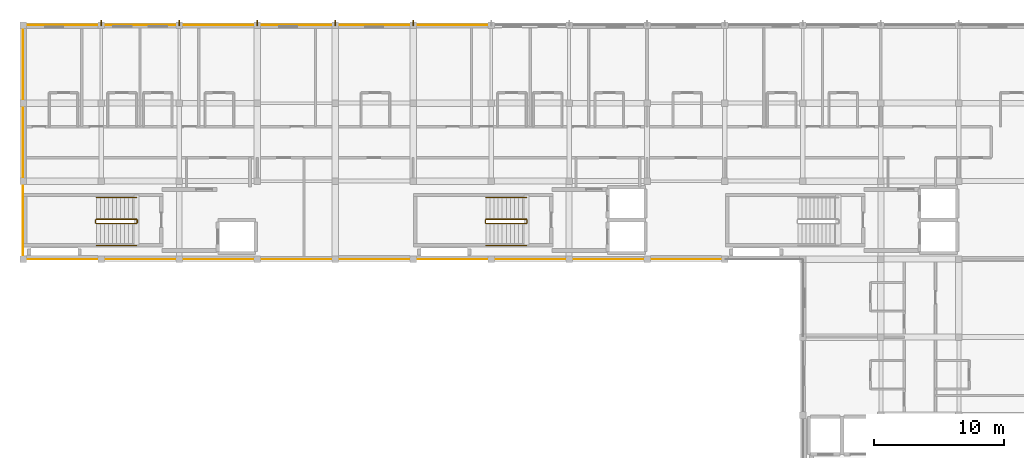
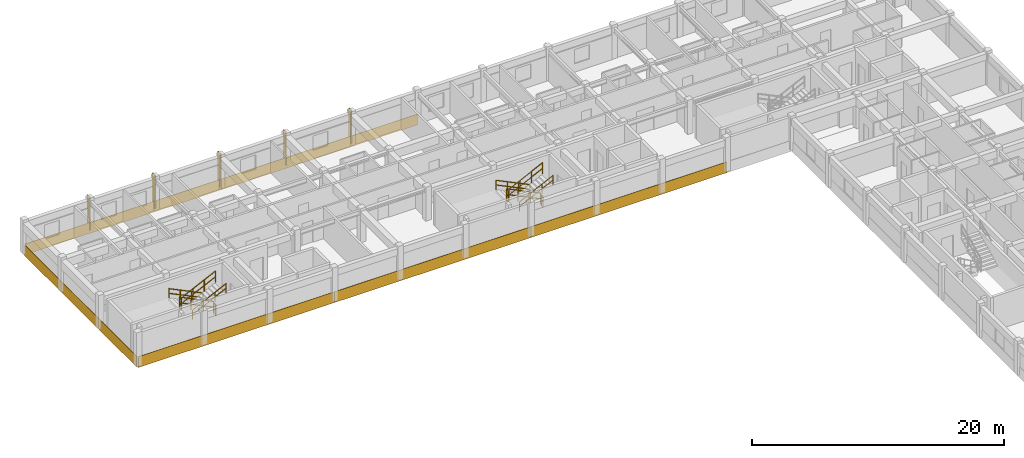
# One storey, part 12 of 14: 12 railings, 6 coverings, 5 shading devices.
"""IFC4 building model written with IfcOpenShell, lengths in metres."""

from ifc_helpers import new_model, si_unit, direction, frame, origin, origin_2d, place, context, subcontext, project, spatial, polyline, rectangle, circle, outline, extrude, material, layer, layer_set, type_object, element, save


model = new_model("IFC4")

# Units and contexts
model_context = context("Model", 3, precision=1e-05, world=origin(), true_north=direction((0.0, 1.0)))
body_context = subcontext(model_context, "Body", "Model", "MODEL_VIEW")
ifc_project = project(units=[si_unit("LENGTHUNIT", "METRE"), si_unit("AREAUNIT", "SQUARE_METRE"), si_unit("VOLUMEUNIT", "CUBIC_METRE"), si_unit("PLANEANGLEUNIT", "RADIAN"), si_unit("MASSUNIT", "GRAM", prefix="KILO"), si_unit("THERMODYNAMICTEMPERATUREUNIT", "KELVIN"), si_unit("POWERUNIT", "WATT")], contexts=[model_context])

# Site, building, storey
site_placement = place(None, origin())
site = spatial("IfcSite", under=ifc_project, at=site_placement, CompositionType="ELEMENT")
building_placement = place(site_placement, origin())
building = spatial("IfcBuilding", under=site, at=building_placement, Name="Phaisarnlok Congress Hotel", CompositionType="ELEMENT")
storey_placement = place(building_placement, frame((0.0, 0.0, 48.0)))
storey = spatial("IfcBuildingStorey", under=building, at=storey_placement, Name="L12", CompositionType="ELEMENT", Elevation=48.0)

# Coverings
ifc_material_1 = material(Name="Anodised Silver Aluminium Alloy 6063-T6", Category="aluminium")
ifc_layer_1 = layer(ifc_material_1, 0.031982421875, Name="Anodised Silver Aluminium Alloy 6063-T6")
ifc_layer_set_1 = layer_set([ifc_layer_1], Name="Anodised Silver Aluminium Alloy 6063-T6")
covering_type = type_object("IfcCoveringType", Name="COV-SPAND-ALU", PredefinedType="CLADDING", material=ifc_layer_set_1)
for number, where, z_axis, x_axis, name in (
    (1, (120.06005859375, 125.9951171875, -0.280029296875), (0.0, 1.0, 0.0), (-1.0, 0.0, 0.0), "Swiss minimalist anodised silver rainscreen band CL-02 (L12 N)"),
    (2, (138.06005859375, 125.9951171875, -0.280029296875), (0.0, 1.0, 0.0), (-1.0, 0.0, 0.0), "Swiss minimalist anodised silver rainscreen band CL-02 (L12 N)"),
    (3, (102.06005859375, 108.0048828125, -0.280029296875), (0.0, -1.0, 0.0), (1.0, 0.0, 0.0), "Swiss minimalist anodised silver rainscreen band CL-02 (L12 S)"),
    (4, (120.06005859375, 108.0048828125, -0.280029296875), (0.0, -1.0, 0.0), (1.0, 0.0, 0.0), "Swiss minimalist anodised silver rainscreen band CL-02 (L12 S)"),
    (5, (138.06005859375, 108.0048828125, -0.280029296875), (0.0, -1.0, 0.0), (1.0, 0.0, 0.0), "Swiss minimalist anodised silver rainscreen band CL-02 (L12 S)"),
):
    element("IfcCovering", number, at=place(storey_placement, frame(where, z_axis=z_axis, x_axis=x_axis)), inside=storey, type_object=covering_type, Name=name, PredefinedType="CLADDING", context=body_context, shape_type="SweptSolid", body=[
        extrude(outline(polyline([(0.0, 0.0), (18.0, 0.0), (18.0, 1.050048828125), (0.0, 1.050048828125), (0.0, 0.0)])), origin(), (0.0, 0.0, 1.0), 0.031982421875),
    ])
covering_placement = place(storey_placement, frame((102.0048828125, 125.93994140625, -0.280029296875), z_axis=(-1.0, 0.0, 0.0), x_axis=(0.0, -1.0, 0.0)))
element("IfcCovering", 6, at=covering_placement, inside=storey, type_object=covering_type, Name="Swiss minimalist anodised silver rainscreen band CL-02 (L12 WG)", PredefinedType="CLADDING", context=body_context, shape_type="SweptSolid", body=[
    extrude(outline(polyline([(0.0, 0.0), (17.8798828125, 0.0), (17.8798828125, 1.050048828125), (0.0, 1.050048828125), (0.0, 0.0)])), origin(), (0.0, 0.0, 1.0), 0.031982421875),
])

# Railings
ifc_material_2 = material(Name="Painted Galvanised Steel S275", Category="steel")
railing_type_1 = type_object("IfcRailingType", Name="RLG-STR-GUARD", PredefinedType="BALUSTRADE", material=ifc_material_2)
railing_1_placement = place(storey_placement, frame((140.719970703125, 111.070068359375, 0.14990234375)))
element("IfcRailing", 7, at=railing_1_placement, inside=storey, type_object=railing_type_1, Name="L12 ST-06 stair guard 1", PredefinedType="BALUSTRADE", context=body_context, shape_type="SweptSolid", body=[
    extrude(circle(Radius=0.02392578125, at=origin_2d()), frame((0.0, 0.0, 1.076171875), z_axis=(-0.900151181449, 0.0, 0.435577605641), x_axis=(0.0, -1.0, 0.0)), (0.0, 0.0, 1.0), 3.443603515625),
    extrude(circle(Radius=0.02392578125, at=origin_2d()), frame((0.0, 0.0, 0.52587890625), z_axis=(-0.900151181449, 0.0, 0.435577605641), x_axis=(0.0, -1.0, 0.0)), (0.0, 0.0, 1.0), 3.443603515625),
    extrude(circle(Radius=0.02099609375, at=origin_2d()), origin(), (0.0, 0.0, 1.0), 1.052001953125),
    extrude(circle(Radius=0.02099609375, at=origin_2d()), frame((-1.033203125, 0.0, 0.5)), (0.0, 0.0, 1.0), 1.052001953125),
    extrude(circle(Radius=0.02099609375, at=origin_2d()), frame((-2.066650390625, 0.0, 1.0)), (0.0, 0.0, 1.0), 1.052001953125),
    extrude(circle(Radius=0.02099609375, at=origin_2d()), frame((-3.099853515625, 0.0, 1.5)), (0.0, 0.0, 1.0), 1.052001953125),
])
railing_2_placement = place(storey_placement, frame((137.570068359375, 111.02001953125, 1.64990234375)))
element("IfcRailing", 8, at=railing_2_placement, inside=storey, type_object=railing_type_1, Name="L12 ST-06 stair guard 2", PredefinedType="BALUSTRADE", context=body_context, shape_type="SweptSolid", body=[
    extrude(circle(Radius=0.02392578125, at=origin_2d()), frame((0.0, 0.0, 1.076171875), z_axis=(0.0, -1.0, 0.0), x_axis=(1.0, 0.0, 0.0)), (0.0, 0.0, 1.0), 0.239990234375),
    extrude(circle(Radius=0.02392578125, at=origin_2d()), frame((0.0, 0.0, 0.52587890625), z_axis=(0.0, -1.0, 0.0), x_axis=(1.0, 0.0, 0.0)), (0.0, 0.0, 1.0), 0.239990234375),
    extrude(circle(Radius=0.02099609375, at=origin_2d()), origin(), (0.0, 0.0, 1.0), 1.052001953125),
    extrude(circle(Radius=0.02099609375, at=origin_2d()), frame((0.0, -0.239990234375, 0.0)), (0.0, 0.0, 1.0), 1.052001953125),
])
railing_3_placement = place(storey_placement, frame((137.6201171875, 110.72998046875, 1.800048828125)))
element("IfcRailing", 9, at=railing_3_placement, inside=storey, type_object=railing_type_1, Name="L12 ST-06 stair guard 3", PredefinedType="BALUSTRADE", context=body_context, shape_type="SweptSolid", body=[
    extrude(circle(Radius=0.02392578125, at=origin_2d()), frame((0.0, 0.0, 1.076171875), z_axis=(0.900151181449, 0.0, 0.435577605641), x_axis=(0.0, 1.0, 0.0)), (0.0, 0.0, 1.0), 3.443603515625),
    extrude(circle(Radius=0.02392578125, at=origin_2d()), frame((0.0, 0.0, 0.52587890625), z_axis=(0.900151181449, 0.0, 0.435577605641), x_axis=(0.0, 1.0, 0.0)), (0.0, 0.0, 1.0), 3.443603515625),
    extrude(circle(Radius=0.02099609375, at=origin_2d()), origin(), (0.0, 0.0, 1.0), 1.052001953125),
    extrude(circle(Radius=0.02099609375, at=origin_2d()), frame((1.033203125, 0.0, 0.5)), (0.0, 0.0, 1.0), 1.052001953125),
    extrude(circle(Radius=0.02099609375, at=origin_2d()), frame((2.066650390625, 0.0, 1.0)), (0.0, 0.0, 1.0), 1.052001953125),
    extrude(circle(Radius=0.02099609375, at=origin_2d()), frame((3.099853515625, 0.0, 1.5)), (0.0, 0.0, 1.0), 1.052001953125),
])
railing_4_placement = place(storey_placement, frame((140.77001953125, 111.02001953125, 0.0)))
element("IfcRailing", 10, at=railing_4_placement, inside=storey, type_object=railing_type_1, Name="L12 ST-06 stair guard 4", PredefinedType="BALUSTRADE", context=body_context, shape_type="SweptSolid", body=[
    extrude(circle(Radius=0.02392578125, at=origin_2d()), frame((0.0, 0.0, 1.076171875), z_axis=(0.0, -1.0, 0.0), x_axis=(1.0, 0.0, 0.0)), (0.0, 0.0, 1.0), 0.239990234375),
    extrude(circle(Radius=0.02392578125, at=origin_2d()), frame((0.0, 0.0, 0.52587890625), z_axis=(0.0, -1.0, 0.0), x_axis=(1.0, 0.0, 0.0)), (0.0, 0.0, 1.0), 0.239990234375),
    extrude(circle(Radius=0.02099609375, at=origin_2d()), origin(), (0.0, 0.0, 1.0), 1.052001953125),
    extrude(circle(Radius=0.02099609375, at=origin_2d()), frame((0.0, -0.239990234375, 0.0)), (0.0, 0.0, 1.0), 1.052001953125),
])
railing_5_placement = place(storey_placement, frame((110.719970703125, 111.070068359375, 0.14990234375)))
element("IfcRailing", 11, at=railing_5_placement, inside=storey, type_object=railing_type_1, Name="L12 ST-07 stair guard 1", PredefinedType="BALUSTRADE", context=body_context, shape_type="SweptSolid", body=[
    extrude(circle(Radius=0.02392578125, at=origin_2d()), frame((0.0, 0.0, 1.076171875), z_axis=(-0.900151181449, 0.0, 0.435577605641), x_axis=(0.0, -1.0, 0.0)), (0.0, 0.0, 1.0), 3.443603515625),
    extrude(circle(Radius=0.02392578125, at=origin_2d()), frame((0.0, 0.0, 0.52587890625), z_axis=(-0.900151181449, 0.0, 0.435577605641), x_axis=(0.0, -1.0, 0.0)), (0.0, 0.0, 1.0), 3.443603515625),
    extrude(circle(Radius=0.02099609375, at=origin_2d()), origin(), (0.0, 0.0, 1.0), 1.052001953125),
    extrude(circle(Radius=0.02099609375, at=origin_2d()), frame((-1.033203125, 0.0, 0.5)), (0.0, 0.0, 1.0), 1.052001953125),
    extrude(circle(Radius=0.02099609375, at=origin_2d()), frame((-2.066650390625, 0.0, 1.0)), (0.0, 0.0, 1.0), 1.052001953125),
    extrude(circle(Radius=0.02099609375, at=origin_2d()), frame((-3.099853515625, 0.0, 1.5)), (0.0, 0.0, 1.0), 1.052001953125),
])
railing_6_placement = place(storey_placement, frame((107.570068359375, 111.02001953125, 1.64990234375)))
element("IfcRailing", 12, at=railing_6_placement, inside=storey, type_object=railing_type_1, Name="L12 ST-07 stair guard 2", PredefinedType="BALUSTRADE", context=body_context, shape_type="SweptSolid", body=[
    extrude(circle(Radius=0.02392578125, at=origin_2d()), frame((0.0, 0.0, 1.076171875), z_axis=(0.0, -1.0, 0.0), x_axis=(1.0, 0.0, 0.0)), (0.0, 0.0, 1.0), 0.239990234375),
    extrude(circle(Radius=0.02392578125, at=origin_2d()), frame((0.0, 0.0, 0.52587890625), z_axis=(0.0, -1.0, 0.0), x_axis=(1.0, 0.0, 0.0)), (0.0, 0.0, 1.0), 0.239990234375),
    extrude(circle(Radius=0.02099609375, at=origin_2d()), origin(), (0.0, 0.0, 1.0), 1.052001953125),
    extrude(circle(Radius=0.02099609375, at=origin_2d()), frame((0.0, -0.239990234375, 0.0)), (0.0, 0.0, 1.0), 1.052001953125),
])
railing_7_placement = place(storey_placement, frame((107.6201171875, 110.72998046875, 1.800048828125)))
element("IfcRailing", 13, at=railing_7_placement, inside=storey, type_object=railing_type_1, Name="L12 ST-07 stair guard 3", PredefinedType="BALUSTRADE", context=body_context, shape_type="SweptSolid", body=[
    extrude(circle(Radius=0.02392578125, at=origin_2d()), frame((0.0, 0.0, 1.076171875), z_axis=(0.900151181449, 0.0, 0.435577605641), x_axis=(0.0, 1.0, 0.0)), (0.0, 0.0, 1.0), 3.443603515625),
    extrude(circle(Radius=0.02392578125, at=origin_2d()), frame((0.0, 0.0, 0.52587890625), z_axis=(0.900151181449, 0.0, 0.435577605641), x_axis=(0.0, 1.0, 0.0)), (0.0, 0.0, 1.0), 3.443603515625),
    extrude(circle(Radius=0.02099609375, at=origin_2d()), origin(), (0.0, 0.0, 1.0), 1.052001953125),
    extrude(circle(Radius=0.02099609375, at=origin_2d()), frame((1.033203125, 0.0, 0.5)), (0.0, 0.0, 1.0), 1.052001953125),
    extrude(circle(Radius=0.02099609375, at=origin_2d()), frame((2.066650390625, 0.0, 1.0)), (0.0, 0.0, 1.0), 1.052001953125),
    extrude(circle(Radius=0.02099609375, at=origin_2d()), frame((3.099853515625, 0.0, 1.5)), (0.0, 0.0, 1.0), 1.052001953125),
])
railing_8_placement = place(storey_placement, frame((110.77001953125, 111.02001953125, 0.0)))
element("IfcRailing", 14, at=railing_8_placement, inside=storey, type_object=railing_type_1, Name="L12 ST-07 stair guard 4", PredefinedType="BALUSTRADE", context=body_context, shape_type="SweptSolid", body=[
    extrude(circle(Radius=0.02392578125, at=origin_2d()), frame((0.0, 0.0, 1.076171875), z_axis=(0.0, -1.0, 0.0), x_axis=(1.0, 0.0, 0.0)), (0.0, 0.0, 1.0), 0.239990234375),
    extrude(circle(Radius=0.02392578125, at=origin_2d()), frame((0.0, 0.0, 0.52587890625), z_axis=(0.0, -1.0, 0.0), x_axis=(1.0, 0.0, 0.0)), (0.0, 0.0, 1.0), 0.239990234375),
    extrude(circle(Radius=0.02099609375, at=origin_2d()), origin(), (0.0, 0.0, 1.0), 1.052001953125),
    extrude(circle(Radius=0.02099609375, at=origin_2d()), frame((0.0, -0.239990234375, 0.0)), (0.0, 0.0, 1.0), 1.052001953125),
])
ifc_material_3 = material(Name="Brushed Stainless Steel Grade 304", Category="steel")
railing_type_2 = type_object("IfcRailingType", Name="RLG-STR-HRAIL", PredefinedType="HANDRAIL", material=ifc_material_3)
railing_9_placement = place(storey_placement, frame((140.719970703125, 112.75, 0.14990234375)))
element("IfcRailing", 15, at=railing_9_placement, inside=storey, type_object=railing_type_2, Name="L12 ST-06 stair handrail 1", PredefinedType="HANDRAIL", context=body_context, shape_type="SweptSolid", body=[
    extrude(circle(Radius=0.02392578125, at=origin_2d()), frame((0.0, 0.0, 0.8759765625), z_axis=(-0.900151181449, 0.0, 0.435577605641), x_axis=(0.0, -1.0, 0.0)), (0.0, 0.0, 1.0), 3.443603515625),
    extrude(circle(Radius=0.02392578125, at=origin_2d()), frame((0.0, 0.0, 0.42578125), z_axis=(-0.900151181449, 0.0, 0.435577605641), x_axis=(0.0, -1.0, 0.0)), (0.0, 0.0, 1.0), 3.443603515625),
    extrude(circle(Radius=0.02099609375, at=origin_2d()), origin(), (0.0, 0.0, 1.0), 0.851806640625),
    extrude(circle(Radius=0.02099609375, at=origin_2d()), frame((-1.033203125, 0.0, 0.5)), (0.0, 0.0, 1.0), 0.851806640625),
    extrude(circle(Radius=0.02099609375, at=origin_2d()), frame((-2.066650390625, 0.0, 1.0)), (0.0, 0.0, 1.0), 0.851806640625),
    extrude(circle(Radius=0.02099609375, at=origin_2d()), frame((-3.099853515625, 0.0, 1.5)), (0.0, 0.0, 1.0), 0.851806640625),
])
railing_10_placement = place(storey_placement, frame((137.6201171875, 109.050048828125, 1.800048828125)))
element("IfcRailing", 16, at=railing_10_placement, inside=storey, type_object=railing_type_2, Name="L12 ST-06 stair handrail 2", PredefinedType="HANDRAIL", context=body_context, shape_type="SweptSolid", body=[
    extrude(circle(Radius=0.02392578125, at=origin_2d()), frame((0.0, 0.0, 0.8759765625), z_axis=(0.900151181449, 0.0, 0.435577605641), x_axis=(0.0, 1.0, 0.0)), (0.0, 0.0, 1.0), 3.443603515625),
    extrude(circle(Radius=0.02392578125, at=origin_2d()), frame((0.0, 0.0, 0.42578125), z_axis=(0.900151181449, 0.0, 0.435577605641), x_axis=(0.0, 1.0, 0.0)), (0.0, 0.0, 1.0), 3.443603515625),
    extrude(circle(Radius=0.02099609375, at=origin_2d()), origin(), (0.0, 0.0, 1.0), 0.851806640625),
    extrude(circle(Radius=0.02099609375, at=origin_2d()), frame((1.033203125, 0.0, 0.5)), (0.0, 0.0, 1.0), 0.851806640625),
    extrude(circle(Radius=0.02099609375, at=origin_2d()), frame((2.066650390625, 0.0, 1.0)), (0.0, 0.0, 1.0), 0.851806640625),
    extrude(circle(Radius=0.02099609375, at=origin_2d()), frame((3.099853515625, 0.0, 1.5)), (0.0, 0.0, 1.0), 0.851806640625),
])
railing_11_placement = place(storey_placement, frame((110.719970703125, 112.75, 0.14990234375)))
element("IfcRailing", 17, at=railing_11_placement, inside=storey, type_object=railing_type_2, Name="L12 ST-07 stair handrail 1", PredefinedType="HANDRAIL", context=body_context, shape_type="SweptSolid", body=[
    extrude(circle(Radius=0.02392578125, at=origin_2d()), frame((0.0, 0.0, 0.8759765625), z_axis=(-0.900151181449, 0.0, 0.435577605641), x_axis=(0.0, -1.0, 0.0)), (0.0, 0.0, 1.0), 3.443603515625),
    extrude(circle(Radius=0.02392578125, at=origin_2d()), frame((0.0, 0.0, 0.42578125), z_axis=(-0.900151181449, 0.0, 0.435577605641), x_axis=(0.0, -1.0, 0.0)), (0.0, 0.0, 1.0), 3.443603515625),
    extrude(circle(Radius=0.02099609375, at=origin_2d()), origin(), (0.0, 0.0, 1.0), 0.851806640625),
    extrude(circle(Radius=0.02099609375, at=origin_2d()), frame((-1.033203125, 0.0, 0.5)), (0.0, 0.0, 1.0), 0.851806640625),
    extrude(circle(Radius=0.02099609375, at=origin_2d()), frame((-2.066650390625, 0.0, 1.0)), (0.0, 0.0, 1.0), 0.851806640625),
    extrude(circle(Radius=0.02099609375, at=origin_2d()), frame((-3.099853515625, 0.0, 1.5)), (0.0, 0.0, 1.0), 0.851806640625),
])
railing_12_placement = place(storey_placement, frame((107.6201171875, 109.050048828125, 1.800048828125)))
element("IfcRailing", 18, at=railing_12_placement, inside=storey, type_object=railing_type_2, Name="L12 ST-07 stair handrail 2", PredefinedType="HANDRAIL", context=body_context, shape_type="SweptSolid", body=[
    extrude(circle(Radius=0.02392578125, at=origin_2d()), frame((0.0, 0.0, 0.8759765625), z_axis=(0.900151181449, 0.0, 0.435577605641), x_axis=(0.0, 1.0, 0.0)), (0.0, 0.0, 1.0), 3.443603515625),
    extrude(circle(Radius=0.02392578125, at=origin_2d()), frame((0.0, 0.0, 0.42578125), z_axis=(0.900151181449, 0.0, 0.435577605641), x_axis=(0.0, 1.0, 0.0)), (0.0, 0.0, 1.0), 3.443603515625),
    extrude(circle(Radius=0.02099609375, at=origin_2d()), origin(), (0.0, 0.0, 1.0), 0.851806640625),
    extrude(circle(Radius=0.02099609375, at=origin_2d()), frame((1.033203125, 0.0, 0.5)), (0.0, 0.0, 1.0), 0.851806640625),
    extrude(circle(Radius=0.02099609375, at=origin_2d()), frame((2.066650390625, 0.0, 1.0)), (0.0, 0.0, 1.0), 0.851806640625),
    extrude(circle(Radius=0.02099609375, at=origin_2d()), frame((3.099853515625, 0.0, 1.5)), (0.0, 0.0, 1.0), 0.851806640625),
])

# Shading devices
ifc_material_4 = material(Name="Anodised Champagne Aluminium Alloy 6063", Category="aluminium")
ifc_layer_2 = layer(ifc_material_4, 0.050048828125, Name="Anodised Champagne Aluminium Alloy 6063")
ifc_layer_set_2 = layer_set([ifc_layer_2], Name="Anodised Champagne Aluminium Alloy 6063")
shading_device_type = type_object("IfcShadingDeviceType", Name="SHD-FIN-VERT", PredefinedType="SHUTTER", material=ifc_layer_set_2)
for number, where, z_axis, x_axis, name in (
    (19, (108.0, 126.179931640625, 0.0400390625), (0.0, 0.0, 1.0), (1.0, 0.0, 0.0), "Hotel vertical solar fin SF-01 (L12)"),
    (20, (114.0, 126.179931640625, 0.0400390625), (0.0, 0.0, 1.0), (1.0, 0.0, 0.0), "Hotel vertical solar fin SF-01 (L12)"),
    (21, (120.0, 126.179931640625, 0.0400390625), (0.0, 0.0, 1.0), (1.0, 0.0, 0.0), "Hotel vertical solar fin SF-01 (L12)"),
    (22, (126.0, 126.179931640625, 0.0400390625), (0.0, 0.0, 1.0), (1.0, 0.0, 0.0), "Hotel vertical solar fin SF-01 (L12)"),
    (23, (132.0, 126.179931640625, 0.0400390625), (0.0, 0.0, 1.0), (1.0, 0.0, 0.0), "Hotel vertical solar fin SF-01 (L12)"),
):
    element("IfcShadingDevice", number, at=place(storey_placement, frame(where, z_axis=z_axis, x_axis=x_axis)), inside=storey, type_object=shading_device_type, Name=name, PredefinedType="SHUTTER", context=body_context, shape_type="SweptSolid", body=[
        extrude(rectangle(XDim=0.080078125, YDim=0.43994140625, at=origin_2d()), origin(), (0.0, 0.0, 1.0), 3.219970703125),
    ])

save(model, "model.ifc")
